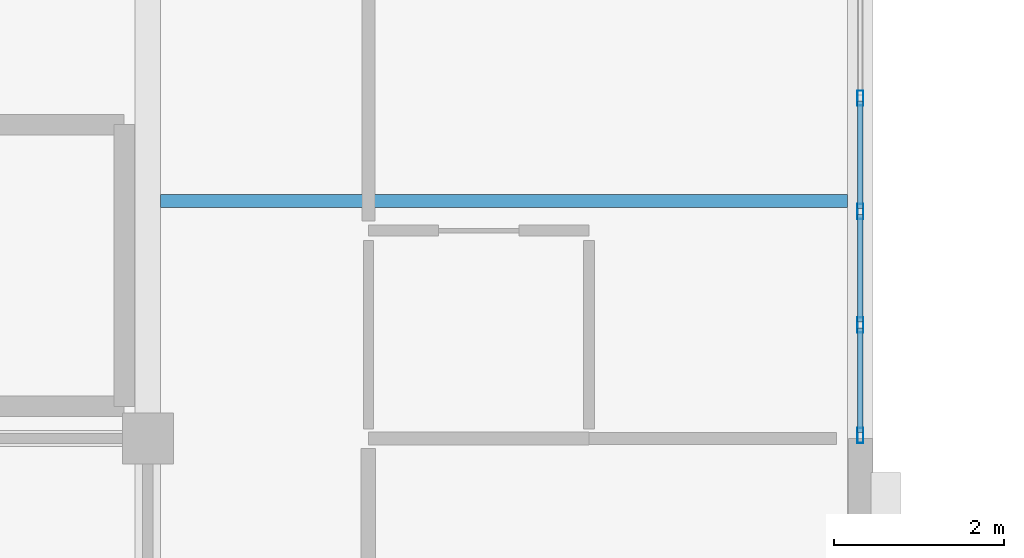
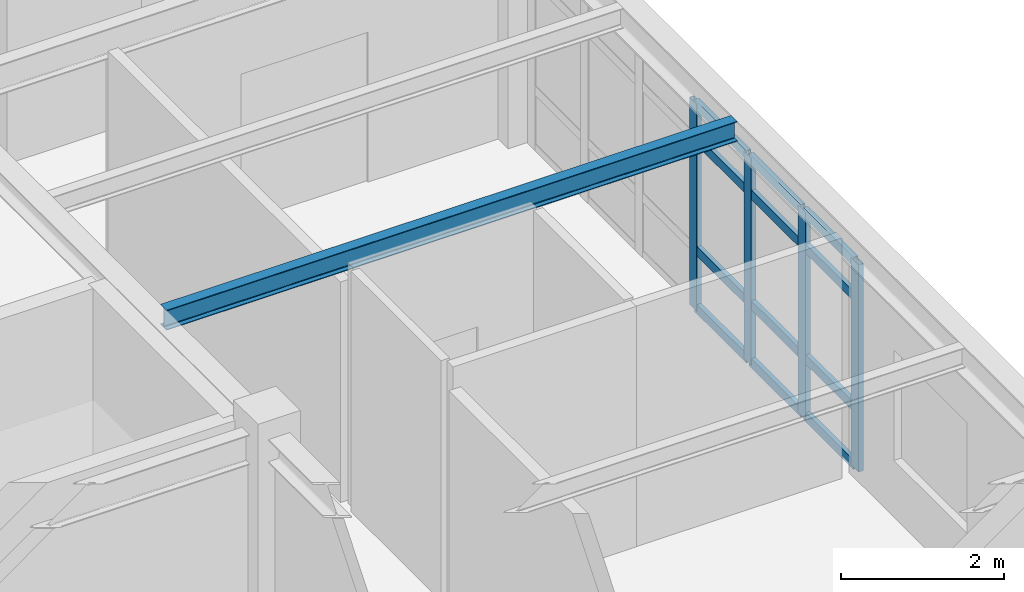
# One storey, part 21 of 86: 16 members, 1 beam, 1 element without a shape of its own.
"""IFC4 building model written with IfcOpenShell, lengths in metres."""

from ifc_helpers import new_model, si_unit, direction, frame, origin, origin_2d, place, context, subcontext, project, spatial, hollow_rectangle, i_section, extrude, material, layer, layer_set, material_profile, profile_set, type_object, element, aggregate, save


model = new_model("IFC4")

# Units and contexts
model_context = context("Model", 3, precision=1e-05, world=origin(), true_north=direction((0.0, 1.0)))
body_context = subcontext(model_context, "Body", "Model", "MODEL_VIEW")
ifc_project = project(units=[si_unit("LENGTHUNIT", "METRE"), si_unit("AREAUNIT", "SQUARE_METRE"), si_unit("VOLUMEUNIT", "CUBIC_METRE"), si_unit("PLANEANGLEUNIT", "RADIAN"), si_unit("MASSUNIT", "GRAM", prefix="KILO")], contexts=[model_context])

# Site, building, storey
site_placement = place(None, origin())
site = spatial("IfcSite", under=ifc_project, at=site_placement, CompositionType="ELEMENT")
building_placement = place(site_placement, origin())
building = spatial("IfcBuilding", under=site, at=building_placement, Name="Bramfleet General Hospital", CompositionType="ELEMENT")
storey_placement = place(building_placement, frame((0.0, 0.0, 18.60009765625)))
storey = spatial("IfcBuildingStorey", under=building, at=storey_placement, Name="L04", CompositionType="ELEMENT", Elevation=18.60009765625)

# Beam
ifc_material_1 = material(Name="Steel S355", Category="steel")
ifc_material_profile_1 = material_profile(ifc_material_1, i_section(OverallWidth=0.14990234375, OverallDepth=0.300048828125, WebThickness=0.007080078125, FlangeThickness=0.0107421875, FilletRadius=0.014892578125, at=origin_2d()), Name="IPE 300")
ifc_profile_set_1 = profile_set([ifc_material_profile_1], Name="Steel S355")
beam_type = type_object("IfcBeamType", Name="BM-IPE300", PredefinedType="JOIST", material=ifc_profile_set_1)
beam_placement = place(storey_placement, frame((109.35009765625, 70.0, 3.469970703125), z_axis=(1.0, 0.0, 0.0), x_axis=(0.0, 1.0, 0.0)))
element("IfcBeam", 1, at=beam_placement, inside=storey, type_object=beam_type, Name="L04 Secondary Joist 13-08-1", PredefinedType="JOIST", context=body_context, shape_type="SweptSolid", body=[
    extrude(i_section(OverallWidth=0.14990234375, OverallDepth=0.300048828125, WebThickness=0.007080078125, FlangeThickness=0.0107421875, FilletRadius=0.014892578125, at=origin_2d()), origin(), (0.0, 0.0, 1.0), 8.099853515625),
])

# Curtain wall, members
ifc_material_2 = material(Name="Anodised aluminium and low-E triple glazing", Category="aluminium")
ifc_layer = layer(ifc_material_2, 0.179931640625, Name="CWT-CW-12")
ifc_layer_set = layer_set([ifc_layer], Name="Anodised aluminium and low-E triple glazing")
curtain_wall_type = type_object("IfcCurtainWallType", Name="CWT-CW-12", PredefinedType="USERDEFINED", material=ifc_layer_set)
curtain_wall_placement = place(storey_placement, origin())
curtain_wall = element("IfcCurtainWall", 2, at=curtain_wall_placement, inside=storey, type_object=curtain_wall_type, Name="L04 Curtain Wall 192", ObjectType="Stick curtain wall", PredefinedType="USERDEFINED")
ifc_material_3 = material(Name="Anodised aluminium EN AW-6060", Category="aluminium")
ifc_material_profile_2 = material_profile(ifc_material_3, hollow_rectangle(XDim=0.070068359375, YDim=0.179931640625, WallThickness=0.00390625, at=origin_2d()), Name="ALU 180x70x4.0")
ifc_profile_set_2 = profile_set([ifc_material_profile_2], Name="Anodised aluminium EN AW-6060")
member_type_1 = type_object("IfcMemberType", Name="CWM-ALU180", PredefinedType="MULLION", material=ifc_profile_set_2)
member_1_placement = place(storey_placement, frame((117.60009765625, 71.21240234375, 0.0), z_axis=(0.0, 0.0, 1.0), x_axis=(1.0, 0.0, 0.0)))
member_1 = element("IfcMember", 3, at=member_1_placement, type_object=member_type_1, Name="CW-12 mullion 4", PredefinedType="MULLION", context=body_context, shape_type="SweptSolid", body=[
    extrude(hollow_rectangle(XDim=0.070068359375, YDim=0.179931640625, WallThickness=0.00390625, at=origin_2d()), origin(), (0.0, 0.0, 1.0), 3.10986328125),
])
member_2_placement = place(storey_placement, frame((117.60009765625, 69.875, 0.0), z_axis=(0.0, 0.0, 1.0), x_axis=(1.0, 0.0, 0.0)))
member_2 = element("IfcMember", 4, at=member_2_placement, type_object=member_type_1, Name="CW-12 mullion 5", PredefinedType="MULLION", context=body_context, shape_type="SweptSolid", body=[
    extrude(hollow_rectangle(XDim=0.070068359375, YDim=0.179931640625, WallThickness=0.00390625, at=origin_2d()), origin(), (0.0, 0.0, 1.0), 3.10986328125),
])
member_3_placement = place(storey_placement, frame((117.60009765625, 68.53759765625, 0.0), z_axis=(0.0, 0.0, 1.0), x_axis=(1.0, 0.0, 0.0)))
member_3 = element("IfcMember", 5, at=member_3_placement, type_object=member_type_1, Name="CW-12 mullion 6", PredefinedType="MULLION", context=body_context, shape_type="SweptSolid", body=[
    extrude(hollow_rectangle(XDim=0.070068359375, YDim=0.179931640625, WallThickness=0.00390625, at=origin_2d()), origin(), (0.0, 0.0, 1.0), 3.10986328125),
])
member_4_placement = place(storey_placement, frame((117.60009765625, 67.235107421875, 0.0), z_axis=(0.0, 0.0, 1.0), x_axis=(1.0, 0.0, 0.0)))
member_4 = element("IfcMember", 6, at=member_4_placement, type_object=member_type_1, Name="CW-12 mullion 7", PredefinedType="MULLION", context=body_context, shape_type="SweptSolid", body=[
    extrude(hollow_rectangle(XDim=0.070068359375, YDim=0.179931640625, WallThickness=0.00390625, at=origin_2d()), origin(), (0.0, 0.0, 1.0), 3.10986328125),
])
ifc_material_profile_3 = material_profile(ifc_material_3, hollow_rectangle(XDim=0.06494140625, YDim=0.139892578125, WallThickness=0.00390625, at=origin_2d()), Name="ALU 140x65x4.0")
ifc_profile_set_3 = profile_set([ifc_material_profile_3], Name="Anodised aluminium EN AW-6060")
member_type_2 = type_object("IfcMemberType", Name="CWT-ALU140", PredefinedType="USERDEFINED", material=ifc_profile_set_3)
member_5_placement = place(storey_placement, frame((117.60009765625, 71.177490234375, 0.032470703125), z_axis=(0.0, -1.0, 0.0), x_axis=(1.0, 0.0, 0.0)))
member_5 = element("IfcMember", 7, at=member_5_placement, type_object=member_type_2, Name="CW-12 transom 4.1", ObjectType="TRANSOM", PredefinedType="USERDEFINED", context=body_context, shape_type="SweptSolid", body=[
    extrude(hollow_rectangle(XDim=0.06494140625, YDim=0.139892578125, WallThickness=0.00390625, at=origin_2d()), origin(), (0.0, 0.0, 1.0), 1.267578125),
])
member_6_placement = place(storey_placement, frame((117.60009765625, 71.177490234375, 0.89990234375), z_axis=(0.0, -1.0, 0.0), x_axis=(1.0, 0.0, 0.0)))
member_6 = element("IfcMember", 8, at=member_6_placement, type_object=member_type_2, Name="CW-12 transom 4.2", ObjectType="TRANSOM", PredefinedType="USERDEFINED", context=body_context, shape_type="SweptSolid", body=[
    extrude(hollow_rectangle(XDim=0.06494140625, YDim=0.139892578125, WallThickness=0.00390625, at=origin_2d()), origin(), (0.0, 0.0, 1.0), 1.267578125),
])
member_7_placement = place(storey_placement, frame((117.60009765625, 71.177490234375, 2.559814453125), z_axis=(0.0, -1.0, 0.0), x_axis=(1.0, 0.0, 0.0)))
member_7 = element("IfcMember", 9, at=member_7_placement, type_object=member_type_2, Name="CW-12 transom 4.3", ObjectType="TRANSOM", PredefinedType="USERDEFINED", context=body_context, shape_type="SweptSolid", body=[
    extrude(hollow_rectangle(XDim=0.06494140625, YDim=0.139892578125, WallThickness=0.00390625, at=origin_2d()), origin(), (0.0, 0.0, 1.0), 1.267578125),
])
member_8_placement = place(storey_placement, frame((117.60009765625, 71.177490234375, 3.077392578125), z_axis=(0.0, -1.0, 0.0), x_axis=(1.0, 0.0, 0.0)))
member_8 = element("IfcMember", 10, at=member_8_placement, type_object=member_type_2, Name="CW-12 transom 4.4", ObjectType="TRANSOM", PredefinedType="USERDEFINED", context=body_context, shape_type="SweptSolid", body=[
    extrude(hollow_rectangle(XDim=0.06494140625, YDim=0.139892578125, WallThickness=0.00390625, at=origin_2d()), origin(), (0.0, 0.0, 1.0), 1.267578125),
])
member_9_placement = place(storey_placement, frame((117.60009765625, 69.840087890625, 0.032470703125), z_axis=(0.0, -1.0, 0.0), x_axis=(1.0, 0.0, 0.0)))
member_9 = element("IfcMember", 11, at=member_9_placement, type_object=member_type_2, Name="CW-12 transom 5.1", ObjectType="TRANSOM", PredefinedType="USERDEFINED", context=body_context, shape_type="SweptSolid", body=[
    extrude(hollow_rectangle(XDim=0.06494140625, YDim=0.139892578125, WallThickness=0.00390625, at=origin_2d()), origin(), (0.0, 0.0, 1.0), 1.267578125),
])
member_10_placement = place(storey_placement, frame((117.60009765625, 69.840087890625, 0.89990234375), z_axis=(0.0, -1.0, 0.0), x_axis=(1.0, 0.0, 0.0)))
member_10 = element("IfcMember", 12, at=member_10_placement, type_object=member_type_2, Name="CW-12 transom 5.2", ObjectType="TRANSOM", PredefinedType="USERDEFINED", context=body_context, shape_type="SweptSolid", body=[
    extrude(hollow_rectangle(XDim=0.06494140625, YDim=0.139892578125, WallThickness=0.00390625, at=origin_2d()), origin(), (0.0, 0.0, 1.0), 1.267578125),
])
member_11_placement = place(storey_placement, frame((117.60009765625, 69.840087890625, 2.559814453125), z_axis=(0.0, -1.0, 0.0), x_axis=(1.0, 0.0, 0.0)))
member_11 = element("IfcMember", 13, at=member_11_placement, type_object=member_type_2, Name="CW-12 transom 5.3", ObjectType="TRANSOM", PredefinedType="USERDEFINED", context=body_context, shape_type="SweptSolid", body=[
    extrude(hollow_rectangle(XDim=0.06494140625, YDim=0.139892578125, WallThickness=0.00390625, at=origin_2d()), origin(), (0.0, 0.0, 1.0), 1.267578125),
])
member_12_placement = place(storey_placement, frame((117.60009765625, 69.840087890625, 3.077392578125), z_axis=(0.0, -1.0, 0.0), x_axis=(1.0, 0.0, 0.0)))
member_12 = element("IfcMember", 14, at=member_12_placement, type_object=member_type_2, Name="CW-12 transom 5.4", ObjectType="TRANSOM", PredefinedType="USERDEFINED", context=body_context, shape_type="SweptSolid", body=[
    extrude(hollow_rectangle(XDim=0.06494140625, YDim=0.139892578125, WallThickness=0.00390625, at=origin_2d()), origin(), (0.0, 0.0, 1.0), 1.267578125),
])
member_13_placement = place(storey_placement, frame((117.60009765625, 68.50244140625, 0.032470703125), z_axis=(0.0, -1.0, 0.0), x_axis=(1.0, 0.0, 0.0)))
member_13 = element("IfcMember", 15, at=member_13_placement, type_object=member_type_2, Name="CW-12 transom 6.1", ObjectType="TRANSOM", PredefinedType="USERDEFINED", context=body_context, shape_type="SweptSolid", body=[
    extrude(hollow_rectangle(XDim=0.06494140625, YDim=0.139892578125, WallThickness=0.00390625, at=origin_2d()), origin(), (0.0, 0.0, 1.0), 1.232421875),
])
member_14_placement = place(storey_placement, frame((117.60009765625, 68.50244140625, 0.89990234375), z_axis=(0.0, -1.0, 0.0), x_axis=(1.0, 0.0, 0.0)))
member_14 = element("IfcMember", 16, at=member_14_placement, type_object=member_type_2, Name="CW-12 transom 6.2", ObjectType="TRANSOM", PredefinedType="USERDEFINED", context=body_context, shape_type="SweptSolid", body=[
    extrude(hollow_rectangle(XDim=0.06494140625, YDim=0.139892578125, WallThickness=0.00390625, at=origin_2d()), origin(), (0.0, 0.0, 1.0), 1.232421875),
])
member_15_placement = place(storey_placement, frame((117.60009765625, 68.50244140625, 2.559814453125), z_axis=(0.0, -1.0, 0.0), x_axis=(1.0, 0.0, 0.0)))
member_15 = element("IfcMember", 17, at=member_15_placement, type_object=member_type_2, Name="CW-12 transom 6.3", ObjectType="TRANSOM", PredefinedType="USERDEFINED", context=body_context, shape_type="SweptSolid", body=[
    extrude(hollow_rectangle(XDim=0.06494140625, YDim=0.139892578125, WallThickness=0.00390625, at=origin_2d()), origin(), (0.0, 0.0, 1.0), 1.232421875),
])
member_16_placement = place(storey_placement, frame((117.60009765625, 68.50244140625, 3.077392578125), z_axis=(0.0, -1.0, 0.0), x_axis=(1.0, 0.0, 0.0)))
member_16 = element("IfcMember", 18, at=member_16_placement, type_object=member_type_2, Name="CW-12 transom 6.4", ObjectType="TRANSOM", PredefinedType="USERDEFINED", context=body_context, shape_type="SweptSolid", body=[
    extrude(hollow_rectangle(XDim=0.06494140625, YDim=0.139892578125, WallThickness=0.00390625, at=origin_2d()), origin(), (0.0, 0.0, 1.0), 1.232421875),
])
aggregate(curtain_wall, [member_1, member_2, member_3, member_4, member_5, member_6, member_7, member_8, member_9, member_10, member_11, member_12, member_13, member_14, member_15, member_16])

save(model, "model.ifc")
